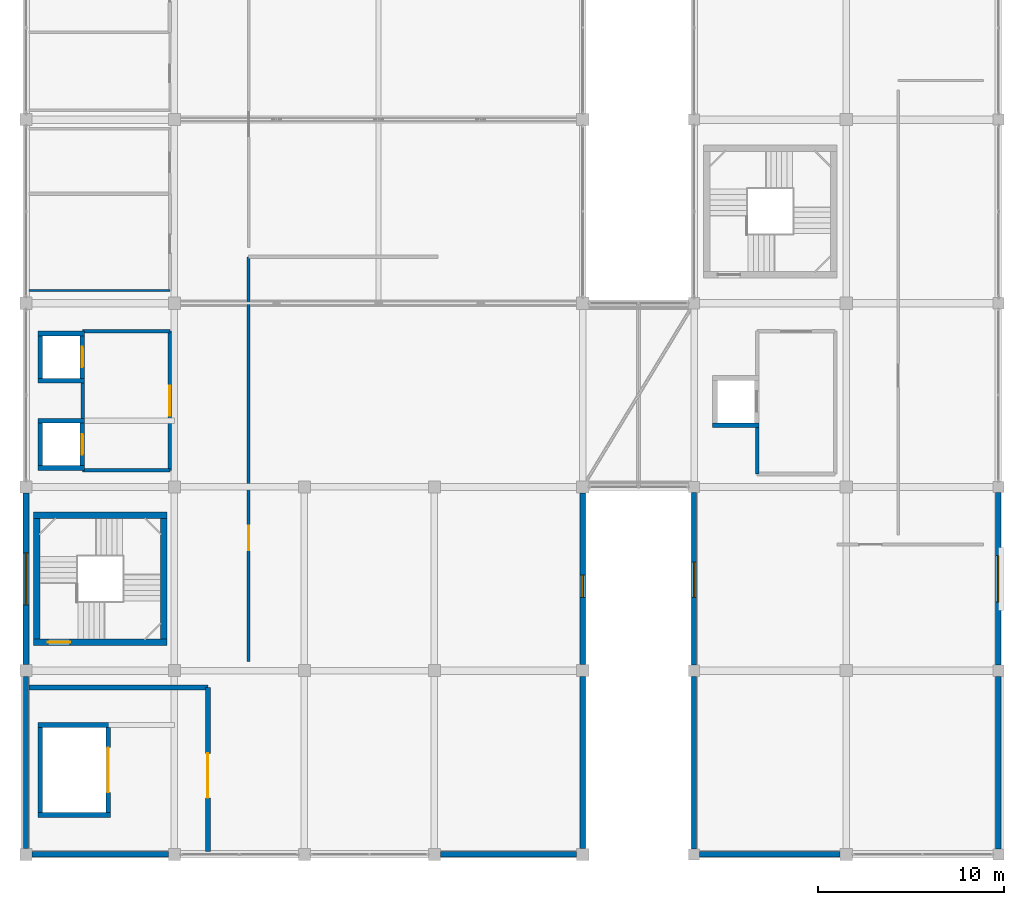
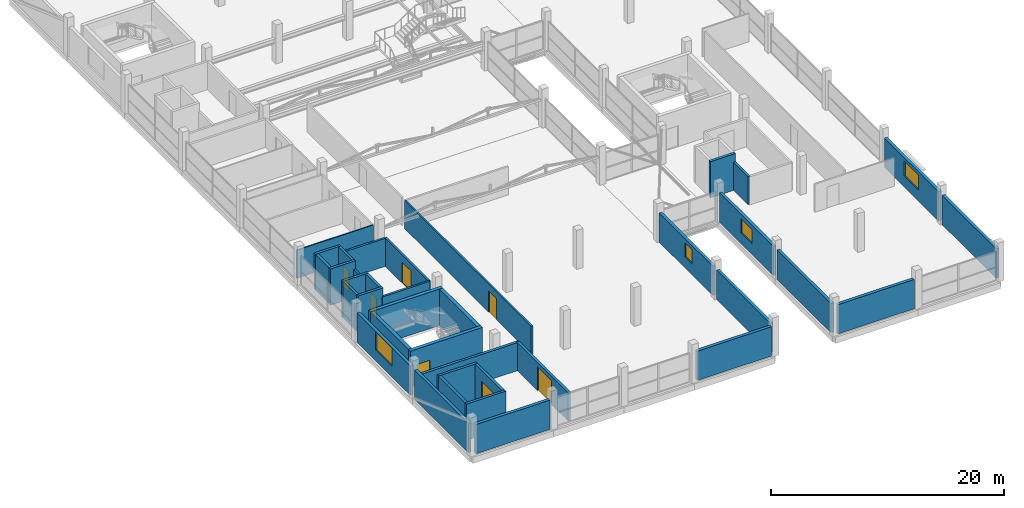
# One storey, part 57 of 70: 37 walls, 7 doors, 4 windows, 11 openings.
"""IFC4 building model written with IfcOpenShell, lengths in metres."""

from ifc_helpers import new_model, si_unit, direction, frame, frame_2d, origin, place, context, subcontext, project, spatial, rectangle, extrude, material, layer, layer_set, type_object, element, fill, save


model = new_model("IFC4")

# Units and contexts
model_context = context("Model", 3, precision=1e-05, world=origin(), true_north=direction((0.0, 1.0)))
body_context = subcontext(model_context, "Body", "Model", "MODEL_VIEW")
ifc_project = project(units=[si_unit("LENGTHUNIT", "METRE"), si_unit("AREAUNIT", "SQUARE_METRE"), si_unit("VOLUMEUNIT", "CUBIC_METRE"), si_unit("PLANEANGLEUNIT", "RADIAN"), si_unit("MASSUNIT", "GRAM", prefix="KILO")], contexts=[model_context])

# Site, building, storey
site_placement = place(None, origin())
site = spatial("IfcSite", under=ifc_project, at=site_placement, CompositionType="ELEMENT")
building_placement = place(site_placement, origin())
building = spatial("IfcBuilding", under=site, at=building_placement, Name="Sillaruma Civic Art Gallery", CompositionType="ELEMENT")
storey_placement = place(building_placement, frame((0.0, 0.0, 66.300048828125)))
storey = spatial("IfcBuildingStorey", under=building, at=storey_placement, Name="L13", CompositionType="ELEMENT", Elevation=66.300048828125)

# Wall, opening, door
ifc_material_1 = material(Name="Concrete H40 (40 MPa)", Category="concrete")
ifc_layer_1 = layer(ifc_material_1, 0.35009765625, Name="Concrete H40 (40 MPa)")
ifc_layer_set_1 = layer_set([ifc_layer_1], Name="Concrete H40 (40 MPa)")
wall_type_1 = type_object("IfcWallType", Name="WAL-CORE-350", PredefinedType="SHEAR", material=ifc_layer_set_1)
wall_1_placement = place(storey_placement, frame((62.409912109375, 31.235107421875, 0.0), z_axis=(0.0, 0.0, 1.0), x_axis=(1.0, 0.0, 0.0)))
wall_1 = element("IfcWall", 1, at=wall_1_placement, inside=storey, type_object=wall_type_1, Name="Stair Core Shear Wall W-CORE-350 (ST-03:L13:S)", PredefinedType="SHEAR", context=body_context, shape_type="SweptSolid", body=[
    extrude(rectangle(XDim=7.18017578125, YDim=0.35009765625, at=frame_2d((3.590087890625, 0.0))), origin(), (0.0, 0.0, 1.0), 3.829833984375),
])
opening_1_placement = place(wall_1_placement, frame((0.77001953125, 0.0, 0.0)))
opening_1 = element("IfcOpeningElement", 2, at=opening_1_placement, cuts=wall_1, Name="Opening D-STAIR", PredefinedType="OPENING", context=body_context, shape_type="SweptSolid", body=[
    extrude(rectangle(XDim=1.199951171875, YDim=2.199951171875, at=frame_2d((0.60009765625, 1.10009765625))), frame((0.0, 0.18505859375, 0.0), z_axis=(0.0, -1.0, 0.0), x_axis=(1.0, 0.0, 0.0)), (0.0, 0.0, 1.0), 0.3701171875),
])
ifc_material_2 = material(Name="Galvanised Steel ASTM A653 Gr.50", Category="steel")
door_type_1 = type_object("IfcDoorType", Name="DOR-STAIR-120", OperationType="NOTDEFINED", PredefinedType="DOOR", material=ifc_material_2)
door_1_placement = place(opening_1_placement, origin())
door_1 = element("IfcDoor", 3, at=door_1_placement, inside=storey, type_object=door_type_1, Name="Protected Stair Fire Door (ST-03:L13)", OperationType="SINGLE_SWING_LEFT", OverallHeight=2.199951171875, OverallWidth=1.199951171875, PredefinedType="DOOR", context=body_context, shape_type="SweptSolid", body=[
    extrude(rectangle(XDim=1.199951171875, YDim=2.199951171875, at=frame_2d((0.60009765625, 1.10009765625))), frame((0.0, 0.02490234375, 0.0), z_axis=(0.0, -1.0, 0.0), x_axis=(1.0, 0.0, 0.0)), (0.0, 0.0, 1.0), 0.050048828125),
])
fill(opening_1, door_1)

# Walls
wall_2_placement = place(storey_placement, frame((62.409912109375, 38.06494140625, 0.0), z_axis=(0.0, 0.0, 1.0), x_axis=(1.0, 0.0, 0.0)))
element("IfcWall", 4, at=wall_2_placement, inside=storey, type_object=wall_type_1, Name="Stair Core Shear Wall W-CORE-350 (ST-03:L13:N)", PredefinedType="SHEAR", context=body_context, shape_type="SweptSolid", body=[
    extrude(rectangle(XDim=7.18017578125, YDim=0.35009765625, at=frame_2d((3.590087890625, 0.0))), origin(), (0.0, 0.0, 1.0), 3.829833984375),
])
for number, where, z_axis, x_axis, name in (
    (5, (62.5849609375, 31.409912109375, 0.0), (0.0, 0.0, 1.0), (0.0, 1.0, 0.0), "Stair Core Shear Wall W-CORE-350 (ST-03:L13:W)"),
    (6, (69.4150390625, 31.409912109375, 0.0), (0.0, 0.0, 1.0), (0.0, 1.0, 0.0), "Stair Core Shear Wall W-CORE-350 (ST-03:L13:E)"),
):
    element("IfcWall", number, at=place(storey_placement, frame(where, z_axis=z_axis, x_axis=x_axis)), inside=storey, type_object=wall_type_1, Name=name, PredefinedType="SHEAR", context=body_context, shape_type="SweptSolid", body=[
        extrude(rectangle(XDim=6.47998046875, YDim=0.35009765625, at=frame_2d((3.239990234375, 0.0))), origin(), (0.0, 0.0, 1.0), 3.829833984375),
    ])
ifc_material_3 = material(Name="Concrete H35 (35 MPa)", Category="concrete")
ifc_layer_2 = layer(ifc_material_3, 0.159912109375, Name="Concrete backup", Category="concrete")
ifc_material_4 = material(Name="Mineral Wool Thermal Insulation", Category="insulation")
ifc_layer_3 = layer(ifc_material_4, 0.090087890625, Name="Thermal insulation", Category="insulation")
ifc_material_5 = material(Name="Anodised Zinc-Aluminium Alloy", Category="aluminium")
ifc_layer_4 = layer(ifc_material_5, 0.030029296875, Name="Rainscreen finish", Category="aluminium")
ifc_layer_set_2 = layer_set([ifc_layer_2, ifc_layer_3, ifc_layer_4], Name="W-EXT-280")
wall_type_2 = type_object("IfcWallType", Name="WAL-EXT-280", PredefinedType="SOLIDWALL", material=ifc_layer_set_2)
wall_3_placement = place(storey_placement, frame((92.0, 20.125, 0.0), z_axis=(0.0, 0.0, 1.0), x_axis=(0.0, 1.0, 0.0)))
element("IfcWall", 7, at=wall_3_placement, inside=storey, type_object=wall_type_2, Name="Exterior Wall W-EXT-280 (EW-L13-WBE-1)", PredefinedType="SOLIDWALL", context=body_context, shape_type="SweptSolid", body=[
    extrude(rectangle(XDim=9.25, YDim=0.280029296875, at=frame_2d((4.625, 0.0))), origin(), (0.0, 0.0, 1.0), 3.079833984375),
])

# Wall, opening, window
wall_4_placement = place(storey_placement, frame((92.0, 30.02490234375, 0.0), z_axis=(0.0, 0.0, 1.0), x_axis=(0.0, 1.0, 0.0)))
wall_4 = element("IfcWall", 8, at=wall_4_placement, inside=storey, type_object=wall_type_2, Name="Exterior Wall W-EXT-280 (EW-L13-WBE-2)", PredefinedType="SOLIDWALL", context=body_context, shape_type="SweptSolid", body=[
    extrude(rectangle(XDim=9.25, YDim=0.280029296875, at=frame_2d((4.625, 0.0))), origin(), (0.0, 0.0, 1.0), 3.079833984375),
])
opening_2_placement = place(wall_4_placement, frame((3.625, 0.0, 1.14990234375)))
opening_2 = element("IfcOpeningElement", 9, at=opening_2_placement, cuts=wall_4, Name="Opening WN-07", PredefinedType="OPENING", context=body_context, shape_type="SweptSolid", body=[
    extrude(rectangle(XDim=1.199951171875, YDim=1.5, at=frame_2d((0.60009765625, 0.75))), frame((0.0, 0.14990234375, 0.0), z_axis=(0.0, -1.0, 0.0), x_axis=(1.0, 0.0, 0.0)), (0.0, 0.0, 1.0), 0.300048828125),
])
ifc_material_6 = material(Name="Thermally Broken Extruded Aluminium 6063-T6", Category="aluminium")
window_type_1 = type_object("IfcWindowType", Name="WIN-W07", PartitioningType="SINGLE_PANEL", PredefinedType="WINDOW", material=ifc_material_6)
window_1_placement = place(opening_2_placement, origin())
window_1 = element("IfcWindow", 10, at=window_1_placement, inside=storey, type_object=window_type_1, Name="Window WN-07 (EW-L13-WBE-2-1)", OverallHeight=1.5, OverallWidth=1.199951171875, PartitioningType="SINGLE_PANEL", PredefinedType="WINDOW", context=body_context, shape_type="SweptSolid", body=[
    extrude(rectangle(XDim=1.199951171875, YDim=1.5, at=frame_2d((0.60009765625, 0.75))), frame((0.0, 0.030029296875, 0.0), z_axis=(0.0, -1.0, 0.0), x_axis=(1.0, 0.0, 0.0)), (0.0, 0.0, 1.0), 0.06005859375),
])
fill(opening_2, window_1)

# Wall
wall_5_placement = place(storey_placement, frame((98.0, 20.10009765625, 0.0), z_axis=(0.0, 0.0, 1.0), x_axis=(0.0, 1.0, 0.0)))
element("IfcWall", 11, at=wall_5_placement, inside=storey, type_object=wall_type_2, Name="Exterior Wall W-EXT-280 (EW-L13-EBW-1)", PredefinedType="SOLIDWALL", context=body_context, shape_type="SweptSolid", body=[
    extrude(rectangle(XDim=9.2998046875, YDim=0.280029296875, at=frame_2d((4.64990234375, 0.0))), origin(), (0.0, 0.0, 1.0), 3.079833984375),
])

# Wall, opening, window
wall_6_placement = place(storey_placement, frame((98.0, 30.0, 0.0), z_axis=(0.0, 0.0, 1.0), x_axis=(0.0, 1.0, 0.0)))
wall_6 = element("IfcWall", 12, at=wall_6_placement, inside=storey, type_object=wall_type_2, Name="Exterior Wall W-EXT-280 (EW-L13-EBW-2)", PredefinedType="SOLIDWALL", context=body_context, shape_type="SweptSolid", body=[
    extrude(rectangle(XDim=9.300048828125, YDim=0.280029296875, at=frame_2d((4.64990234375, 0.0))), origin(), (0.0, 0.0, 1.0), 3.079833984375),
])
opening_3_placement = place(wall_6_placement, frame((3.64990234375, 0.0, 1.14990234375)))
opening_3 = element("IfcOpeningElement", 13, at=opening_3_placement, cuts=wall_6, Name="Opening WN-14", PredefinedType="OPENING", context=body_context, shape_type="SweptSolid", body=[
    extrude(rectangle(XDim=1.89990234375, YDim=1.449951171875, at=frame_2d((0.949951171875, 0.72509765625))), frame((0.0, 0.14990234375, 0.0), z_axis=(0.0, -1.0, 0.0), x_axis=(1.0, 0.0, 0.0)), (0.0, 0.0, 1.0), 0.300048828125),
])
window_type_2 = type_object("IfcWindowType", Name="WIN-W14", PartitioningType="SINGLE_PANEL", PredefinedType="WINDOW", material=ifc_material_6)
window_2_placement = place(opening_3_placement, origin())
window_2 = element("IfcWindow", 14, at=window_2_placement, inside=storey, type_object=window_type_2, Name="Window WN-14 (EW-L13-EBW-2-1)", OverallHeight=1.449951171875, OverallWidth=1.89990234375, PartitioningType="SINGLE_PANEL", PredefinedType="WINDOW", context=body_context, shape_type="SweptSolid", body=[
    extrude(rectangle(XDim=1.89990234375, YDim=1.449951171875, at=frame_2d((0.949951171875, 0.72509765625))), frame((0.0, 0.030029296875, 0.0), z_axis=(0.0, -1.0, 0.0), x_axis=(1.0, 0.0, 0.0)), (0.0, 0.0, 1.0), 0.06005859375),
])
fill(opening_3, window_2)

# Walls
ifc_layer_5 = layer(ifc_material_3, 0.169921875, Name="Concrete backup", Category="concrete")
ifc_layer_6 = layer(ifc_material_4, 0.090087890625, Name="Thermal insulation", Category="insulation")
ifc_layer_7 = layer(ifc_material_5, 0.030029296875, Name="Rainscreen finish", Category="aluminium")
ifc_layer_set_3 = layer_set([ifc_layer_5, ifc_layer_6, ifc_layer_7], Name="W-EXT-290")
wall_type_3 = type_object("IfcWallType", Name="WAL-EXT-290", PredefinedType="SOLIDWALL", material=ifc_layer_set_3)
wall_7_placement = place(storey_placement, frame((62.0, 20.125, 0.0), z_axis=(0.0, 0.0, 1.0), x_axis=(0.0, 1.0, 0.0)))
element("IfcWall", 15, at=wall_7_placement, inside=storey, type_object=wall_type_3, Name="Exterior Wall W-EXT-290 (EW-L13-WBW-1)", PredefinedType="SOLIDWALL", context=body_context, shape_type="SweptSolid", body=[
    extrude(rectangle(XDim=9.25, YDim=0.2900390625, at=frame_2d((4.625, 0.0))), origin(), (0.0, 0.0, 1.0), 3.079833984375),
])
wall_8_placement = place(storey_placement, frame((114.39990234375, 20.10009765625, 0.0), z_axis=(0.0, 0.0, 1.0), x_axis=(0.0, 1.0, 0.0)))
element("IfcWall", 16, at=wall_8_placement, inside=storey, type_object=wall_type_3, Name="Exterior Wall W-EXT-290 (EW-L13-EBE-1)", PredefinedType="SOLIDWALL", context=body_context, shape_type="SweptSolid", body=[
    extrude(rectangle(XDim=9.2998046875, YDim=0.2900390625, at=frame_2d((4.64990234375, 0.0))), origin(), (0.0, 0.0, 1.0), 3.079833984375),
])

# Wall, opening, window
ifc_material_7 = material(Name="Precast Concrete H35 (35 MPa)", Category="concrete")
ifc_layer_8 = layer(ifc_material_7, 0.179931640625, Name="Precast backup", Category="concrete")
ifc_layer_9 = layer(ifc_material_4, 0.090087890625, Name="Thermal insulation", Category="insulation")
ifc_material_8 = material(Name="Comanche Granitic Ashlar Stone", Category="masonry")
ifc_layer_10 = layer(ifc_material_8, 0.030029296875, Name="Rainscreen cladding", Category="masonry")
ifc_layer_set_4 = layer_set([ifc_layer_8, ifc_layer_9, ifc_layer_10], Name="W-EXT-300")
wall_type_4 = type_object("IfcWallType", Name="WAL-EXT-300", PredefinedType="SOLIDWALL", material=ifc_layer_set_4)
wall_9_placement = place(storey_placement, frame((62.0, 30.02490234375, 0.0), z_axis=(0.0, 0.0, 1.0), x_axis=(0.0, 1.0, 0.0)))
wall_9 = element("IfcWall", 17, at=wall_9_placement, inside=storey, type_object=wall_type_4, Name="Exterior Wall W-EXT-300 (EW-L13-WBW-2)", PredefinedType="SOLIDWALL", context=body_context, shape_type="SweptSolid", body=[
    extrude(rectangle(XDim=9.25, YDim=0.300048828125, at=frame_2d((4.625, 0.0))), origin(), (0.0, 0.0, 1.0), 3.079833984375),
])
opening_4_placement = place(wall_9_placement, frame((3.22509765625, 0.0, 1.14990234375)))
opening_4 = element("IfcOpeningElement", 18, at=opening_4_placement, cuts=wall_9, Name="Opening WN-09", PredefinedType="OPENING", context=body_context, shape_type="SweptSolid", body=[
    extrude(rectangle(XDim=2.800048828125, YDim=1.89990234375, at=frame_2d((1.39990234375, 0.949951171875))), frame((0.0, 0.159912109375, 0.0), z_axis=(0.0, -1.0, 0.0), x_axis=(1.0, 0.0, 0.0)), (0.0, 0.0, 1.0), 0.320068359375),
])
window_type_3 = type_object("IfcWindowType", Name="WIN-W09", PartitioningType="SINGLE_PANEL", PredefinedType="WINDOW", material=ifc_material_6)
window_3_placement = place(opening_4_placement, origin())
window_3 = element("IfcWindow", 19, at=window_3_placement, inside=storey, type_object=window_type_3, Name="Window WN-09 (EW-L13-WBW-2-1)", OverallHeight=1.89990234375, OverallWidth=2.800048828125, PartitioningType="SINGLE_PANEL", PredefinedType="WINDOW", context=body_context, shape_type="SweptSolid", body=[
    extrude(rectangle(XDim=2.800048828125, YDim=1.89990234375, at=frame_2d((1.39990234375, 0.949951171875))), frame((0.0, 0.030029296875, 0.0), z_axis=(0.0, -1.0, 0.0), x_axis=(1.0, 0.0, 0.0)), (0.0, 0.0, 1.0), 0.06005859375),
])
fill(opening_4, window_3)

# Walls
for number, where, z_axis, x_axis, name in (
    (20, (62.324951171875, 19.800048828125, 0.0), (0.0, 0.0, 1.0), (1.0, 0.0, 0.0), "Exterior Wall W-EXT-300 (EW-L13-WBS-1)"),
    (21, (84.324951171875, 19.800048828125, 0.0), (0.0, 0.0, 1.0), (1.0, 0.0, 0.0), "Exterior Wall W-EXT-300 (EW-L13-WBS-4)"),
):
    element("IfcWall", number, at=place(storey_placement, frame(where, z_axis=z_axis, x_axis=x_axis)), inside=storey, type_object=wall_type_4, Name=name, PredefinedType="SOLIDWALL", context=body_context, shape_type="SweptSolid", body=[
        extrude(rectangle(XDim=7.35009765625, YDim=0.300048828125, at=frame_2d((3.675048828125, 0.0))), origin(), (0.0, 0.0, 1.0), 3.079833984375),
    ])

# Wall, opening, window
wall_10_placement = place(storey_placement, frame((114.39990234375, 30.0, 0.0), z_axis=(0.0, 0.0, 1.0), x_axis=(0.0, 1.0, 0.0)))
wall_10 = element("IfcWall", 22, at=wall_10_placement, inside=storey, type_object=wall_type_4, Name="Exterior Wall W-EXT-300 (EW-L13-EBE-2)", PredefinedType="SOLIDWALL", context=body_context, shape_type="SweptSolid", body=[
    extrude(rectangle(XDim=9.300048828125, YDim=0.300048828125, at=frame_2d((4.64990234375, 0.0))), origin(), (0.0, 0.0, 1.0), 3.079833984375),
])
opening_5_placement = place(wall_10_placement, frame((3.39990234375, 0.0, 1.14990234375)))
opening_5 = element("IfcOpeningElement", 23, at=opening_5_placement, cuts=wall_10, Name="Opening WN-11", PredefinedType="OPENING", context=body_context, shape_type="SweptSolid", body=[
    extrude(rectangle(XDim=2.5, YDim=1.60009765625, at=frame_2d((1.25, 0.800048828125))), frame((0.0, 0.159912109375, 0.0), z_axis=(0.0, -1.0, 0.0), x_axis=(1.0, 0.0, 0.0)), (0.0, 0.0, 1.0), 0.320068359375),
])
window_type_4 = type_object("IfcWindowType", Name="WIN-W11", PartitioningType="SINGLE_PANEL", PredefinedType="WINDOW", material=ifc_material_6)
window_4_placement = place(opening_5_placement, origin())
window_4 = element("IfcWindow", 24, at=window_4_placement, inside=storey, type_object=window_type_4, Name="Window WN-11 (EW-L13-EBE-2-1)", OverallHeight=1.60009765625, OverallWidth=2.5, PartitioningType="SINGLE_PANEL", PredefinedType="WINDOW", context=body_context, shape_type="SweptSolid", body=[
    extrude(rectangle(XDim=2.5, YDim=1.60009765625, at=frame_2d((1.25, 0.800048828125))), frame((0.0, 0.030029296875, 0.0), z_axis=(0.0, -1.0, 0.0), x_axis=(1.0, 0.0, 0.0)), (0.0, 0.0, 1.0), 0.06005859375),
])
fill(opening_5, window_4)

# Walls
wall_11_placement = place(storey_placement, frame((98.300048828125, 19.800048828125, 0.0), z_axis=(0.0, 0.0, 1.0), x_axis=(1.0, 0.0, 0.0)))
element("IfcWall", 25, at=wall_11_placement, inside=storey, type_object=wall_type_4, Name="Exterior Wall W-EXT-300 (EW-L13-EBS-1)", PredefinedType="SOLIDWALL", context=body_context, shape_type="SweptSolid", body=[
    extrude(rectangle(XDim=7.574951171875, YDim=0.300048828125, at=frame_2d((3.78759765625, 0.0))), origin(), (0.0, 0.0, 1.0), 3.079833984375),
])
ifc_material_9 = material(Name="Concrete Masonry Unit Grade M15", Category="masonry")
ifc_layer_11 = layer(ifc_material_9, 0.199951171875, Name="Concrete Masonry Unit Grade M15")
ifc_layer_set_5 = layer_set([ifc_layer_11], Name="Concrete Masonry Unit Grade M15")
wall_type_5 = type_object("IfcWallType", Name="WAL-LOBBY-200", PredefinedType="SOLIDWALL", material=ifc_layer_set_5)
for number, where, z_axis, x_axis, name in (
    (26, (65.050048828125, 40.5, 0.0), (0.0, 0.0, 1.0), (1.0, 0.0, 0.0), "Interior Wall W-LOBBY-200 (L13-LLW)"),
    (27, (65.050048828125, 48.0, 0.0), (0.0, 0.0, 1.0), (1.0, 0.0, 0.0), "Interior Wall W-LOBBY-200 (L13-LLW)"),
):
    element("IfcWall", number, at=place(storey_placement, frame(where, z_axis=z_axis, x_axis=x_axis)), inside=storey, type_object=wall_type_5, Name=name, PredefinedType="SOLIDWALL", context=body_context, shape_type="SweptSolid", body=[
        extrude(rectangle(XDim=4.699951171875, YDim=0.199951171875, at=frame_2d((2.35009765625, 0.0))), origin(), (0.0, 0.0, 1.0), 2.949951171875),
    ])
wall_12_placement = place(storey_placement, frame((65.050048828125, 43.300048828125, 0.0), z_axis=(0.0, 0.0, 1.0), x_axis=(0.0, 1.0, 0.0)))
element("IfcWall", 28, at=wall_12_placement, inside=storey, type_object=wall_type_5, Name="Interior Wall W-LOBBY-200 (L13-LLW)", PredefinedType="SOLIDWALL", context=body_context, shape_type="SweptSolid", body=[
    extrude(rectangle(XDim=1.89990234375, YDim=0.199951171875, at=frame_2d((0.949951171875, 0.0))), origin(), (0.0, 0.0, 1.0), 2.949951171875),
])

# Wall, opening, door
wall_13_placement = place(storey_placement, frame((69.75, 40.5, 0.0), z_axis=(0.0, 0.0, 1.0), x_axis=(0.0, 1.0, 0.0)))
wall_13 = element("IfcWall", 29, at=wall_13_placement, inside=storey, type_object=wall_type_5, Name="Interior Wall W-LOBBY-200 (L13-LLW)", PredefinedType="SOLIDWALL", context=body_context, shape_type="SweptSolid", body=[
    extrude(rectangle(XDim=7.5, YDim=0.199951171875, at=frame_2d((3.75, 0.0))), origin(), (0.0, 0.0, 1.0), 2.949951171875),
])
opening_6_placement = place(wall_13_placement, frame((2.949951171875, 0.0, 0.0)))
opening_6 = element("IfcOpeningElement", 30, at=opening_6_placement, cuts=wall_13, Name="Opening D-LOBBY", PredefinedType="OPENING", context=body_context, shape_type="SweptSolid", body=[
    extrude(rectangle(XDim=1.60009765625, YDim=2.199951171875, at=frame_2d((0.800048828125, 1.10009765625))), frame((0.0, 0.10986328125, 0.0), z_axis=(0.0, -1.0, 0.0), x_axis=(1.0, 0.0, 0.0)), (0.0, 0.0, 1.0), 0.219970703125),
])
door_type_2 = type_object("IfcDoorType", Name="DOR-LOBBY-160", OperationType="NOTDEFINED", PredefinedType="DOOR", material=ifc_material_6)
door_2_placement = place(opening_6_placement, origin())
door_2 = element("IfcDoor", 31, at=door_2_placement, inside=storey, type_object=door_type_2, Name="West Lift Lobby Door (D-LOBBY)", OperationType="DOUBLE_DOOR_SINGLE_SWING", OverallHeight=2.199951171875, OverallWidth=1.60009765625, PredefinedType="DOOR", context=body_context, shape_type="SweptSolid", body=[
    extrude(rectangle(XDim=1.60009765625, YDim=2.199951171875, at=frame_2d((0.800048828125, 1.10009765625))), frame((0.0, 0.02490234375, 0.0), z_axis=(0.0, -1.0, 0.0), x_axis=(1.0, 0.0, 0.0)), (0.0, 0.0, 1.0), 0.050048828125),
])
fill(opening_6, door_2)

# Walls
wall_14_placement = place(storey_placement, frame((101.39990234375, 40.300048828125, 0.0), z_axis=(0.0, 0.0, 1.0), x_axis=(0.0, 1.0, 0.0)))
element("IfcWall", 32, at=wall_14_placement, inside=storey, type_object=wall_type_5, Name="Interior Wall W-LOBBY-200 (L13-LLE)", PredefinedType="SOLIDWALL", context=body_context, shape_type="SweptSolid", body=[
    extrude(rectangle(XDim=2.5, YDim=0.199951171875, at=frame_2d((1.25, 0.0))), origin(), (0.0, 0.0, 1.0), 2.949951171875),
])
ifc_material_10 = material(Name="Gypsum Acoustic Board", Category="gypsum")
ifc_layer_12 = layer(ifc_material_10, 0.02490234375, Name="Finish board", Category="gypsum")
ifc_layer_13 = layer(ifc_material_4, 0.06005859375, Name="Acoustic core", Category="insulation")
ifc_material_11 = material(Name="Andean Oak Timber", Category="wood")
ifc_layer_14 = layer(ifc_material_11, 0.02490234375, Name="Gallery lining", Category="wood")
ifc_layer_set_6 = layer_set([ifc_layer_12, ifc_layer_13, ifc_layer_14], Name="W-PT-110")
wall_type_6 = type_object("IfcWallType", Name="WAL-PART-110", PredefinedType="PARTITIONING", material=ifc_layer_set_6)
wall_15_placement = place(storey_placement, frame((62.14990234375, 50.199951171875, 0.0), z_axis=(0.0, 0.0, 1.0), x_axis=(1.0, 0.0, 0.0)))
element("IfcWall", 33, at=wall_15_placement, inside=storey, type_object=wall_type_6, Name="Interior Wall W-PT-110 (L13-WC1)", PredefinedType="PARTITIONING", context=body_context, shape_type="SweptSolid", body=[
    extrude(rectangle(XDim=7.60009765625, YDim=0.110107421875, at=frame_2d((3.800048828125, 0.0))), origin(), (0.0, 0.0, 1.0), 2.949951171875),
])

# Wall, opening, door
ifc_layer_15 = layer(ifc_material_10, 0.02490234375, Name="Finish board", Category="gypsum")
ifc_layer_16 = layer(ifc_material_4, 0.114990234375, Name="Acoustic core", Category="insulation")
ifc_layer_17 = layer(ifc_material_11, 0.02490234375, Name="Gallery lining", Category="wood")
ifc_layer_set_7 = layer_set([ifc_layer_15, ifc_layer_16, ifc_layer_17], Name="W-PT-165")
wall_type_7 = type_object("IfcWallType", Name="WAL-PART-165", PredefinedType="PARTITIONING", material=ifc_layer_set_7)
wall_16_placement = place(storey_placement, frame((74.0, 30.199951171875, 0.0), z_axis=(0.0, 0.0, 1.0), x_axis=(0.0, 1.0, 0.0)))
wall_16 = element("IfcWall", 34, at=wall_16_placement, inside=storey, type_object=wall_type_7, Name="Interior Wall W-PT-165 (L13-STD13A)", PredefinedType="PARTITIONING", context=body_context, shape_type="SweptSolid", body=[
    extrude(rectangle(XDim=21.800048828125, YDim=0.1650390625, at=frame_2d((10.89990234375, 0.0))), origin(), (0.0, 0.0, 1.0), 2.949951171875),
])
opening_7_placement = place(wall_16_placement, frame((6.0, 0.0, 0.0)))
opening_7 = element("IfcOpeningElement", 35, at=opening_7_placement, cuts=wall_16, Name="Opening D-STD13", PredefinedType="OPENING", context=body_context, shape_type="SweptSolid", body=[
    extrude(rectangle(XDim=1.300048828125, YDim=2.25, at=frame_2d((0.64990234375, 1.125))), frame((0.0, 0.092529296875, 0.0), z_axis=(0.0, -1.0, 0.0), x_axis=(1.0, 0.0, 0.0)), (0.0, 0.0, 1.0), 0.18505859375),
])
door_type_3 = type_object("IfcDoorType", Name="DOR-STD-130", OperationType="NOTDEFINED", PredefinedType="DOOR", material=ifc_material_11)
door_3_placement = place(opening_7_placement, origin())
door_3 = element("IfcDoor", 36, at=door_3_placement, inside=storey, type_object=door_type_3, Name="West Residency Artist Studio South Door (D-STD13)", OperationType="SINGLE_SWING_LEFT", OverallHeight=2.25, OverallWidth=1.300048828125, PredefinedType="DOOR", context=body_context, shape_type="SweptSolid", body=[
    extrude(rectangle(XDim=1.300048828125, YDim=2.25, at=frame_2d((0.64990234375, 1.125))), frame((0.0, 0.02490234375, 0.0), z_axis=(0.0, -1.0, 0.0), x_axis=(1.0, 0.0, 0.0)), (0.0, 0.0, 1.0), 0.050048828125),
])
fill(opening_7, door_3)

# Walls
ifc_layer_18 = layer(ifc_material_1, 0.25, Name="Concrete H40 (40 MPa)")
ifc_layer_set_8 = layer_set([ifc_layer_18], Name="Concrete H40 (40 MPa)")
wall_type_8 = type_object("IfcWallType", Name="WAL-SHAFT-250", PredefinedType="SOLIDWALL", material=ifc_layer_set_8)
for number, where, z_axis, x_axis, name in (
    (37, (62.64990234375, 40.625, 0.0), (0.0, 0.0, 1.0), (1.0, 0.0, 0.0), "Lift Shaft Wall W-SHAFT-250 (PL-01:L13:S)"),
    (38, (62.64990234375, 43.175048828125, 0.0), (0.0, 0.0, 1.0), (1.0, 0.0, 0.0), "Lift Shaft Wall W-SHAFT-250 (PL-01:L13:N)"),
):
    element("IfcWall", number, at=place(storey_placement, frame(where, z_axis=z_axis, x_axis=x_axis)), inside=storey, type_object=wall_type_8, Name=name, PredefinedType="SOLIDWALL", context=body_context, shape_type="SweptSolid", body=[
        extrude(rectangle(XDim=2.5, YDim=0.25, at=frame_2d((1.25, 0.0))), origin(), (0.0, 0.0, 1.0), 3.81005859375),
    ])
wall_17_placement = place(storey_placement, frame((62.77490234375, 40.75, 0.0), z_axis=(0.0, 0.0, 1.0), x_axis=(0.0, 1.0, 0.0)))
element("IfcWall", 39, at=wall_17_placement, inside=storey, type_object=wall_type_8, Name="Lift Shaft Wall W-SHAFT-250 (PL-01:L13:W)", PredefinedType="SOLIDWALL", context=body_context, shape_type="SweptSolid", body=[
    extrude(rectangle(XDim=2.300048828125, YDim=0.25, at=frame_2d((1.14990234375, 0.0))), origin(), (0.0, 0.0, 1.0), 3.81005859375),
])

# Wall, opening, door
wall_18_placement = place(storey_placement, frame((65.02490234375, 40.75, 0.0), z_axis=(0.0, 0.0, 1.0), x_axis=(0.0, 1.0, 0.0)))
wall_18 = element("IfcWall", 40, at=wall_18_placement, inside=storey, type_object=wall_type_8, Name="Lift Shaft Wall W-SHAFT-250 (PL-01:L13:E)", PredefinedType="SOLIDWALL", context=body_context, shape_type="SweptSolid", body=[
    extrude(rectangle(XDim=2.300048828125, YDim=0.25, at=frame_2d((1.14990234375, 0.0))), origin(), (0.0, 0.0, 1.0), 3.81005859375),
])
opening_8_placement = place(wall_18_placement, frame((0.60009765625, 0.0, 0.0)))
opening_8 = element("IfcOpeningElement", 41, at=opening_8_placement, cuts=wall_18, Name="Opening LD-01", PredefinedType="OPENING", context=body_context, shape_type="SweptSolid", body=[
    extrude(rectangle(XDim=1.10009765625, YDim=2.199951171875, at=frame_2d((0.550048828125, 1.10009765625))), frame((0.0, 0.135009765625, 0.0), z_axis=(0.0, -1.0, 0.0), x_axis=(1.0, 0.0, 0.0)), (0.0, 0.0, 1.0), 0.27001953125),
])
door_type_4 = type_object("IfcDoorType", Name="DOR-LD-01", OperationType="NOTDEFINED", PredefinedType="DOOR", material=ifc_material_2)
door_4_placement = place(opening_8_placement, origin())
door_4 = element("IfcDoor", 42, at=door_4_placement, inside=storey, type_object=door_type_4, Name="Lift Sliding Landing Door LD-01 (PL-01:L13)", OperationType="DOUBLE_DOOR_SLIDING", OverallHeight=2.199951171875, OverallWidth=1.10009765625, PredefinedType="DOOR", context=body_context, shape_type="SweptSolid", body=[
    extrude(rectangle(XDim=1.10009765625, YDim=2.199951171875, at=frame_2d((0.550048828125, 1.10009765625))), frame((0.0, 0.02490234375, 0.0), z_axis=(0.0, -1.0, 0.0), x_axis=(1.0, 0.0, 0.0)), (0.0, 0.0, 1.0), 0.050048828125),
])
fill(opening_8, door_4)

# Walls
for number, where, z_axis, x_axis, name in (
    (43, (62.64990234375, 45.324951171875, 0.0), (0.0, 0.0, 1.0), (1.0, 0.0, 0.0), "Lift Shaft Wall W-SHAFT-250 (PL-02:L13:S)"),
    (44, (62.64990234375, 47.875, 0.0), (0.0, 0.0, 1.0), (1.0, 0.0, 0.0), "Lift Shaft Wall W-SHAFT-250 (PL-02:L13:N)"),
):
    element("IfcWall", number, at=place(storey_placement, frame(where, z_axis=z_axis, x_axis=x_axis)), inside=storey, type_object=wall_type_8, Name=name, PredefinedType="SOLIDWALL", context=body_context, shape_type="SweptSolid", body=[
        extrude(rectangle(XDim=2.5, YDim=0.25, at=frame_2d((1.25, 0.0))), origin(), (0.0, 0.0, 1.0), 3.81005859375),
    ])
wall_19_placement = place(storey_placement, frame((62.77490234375, 45.449951171875, 0.0), z_axis=(0.0, 0.0, 1.0), x_axis=(0.0, 1.0, 0.0)))
element("IfcWall", 45, at=wall_19_placement, inside=storey, type_object=wall_type_8, Name="Lift Shaft Wall W-SHAFT-250 (PL-02:L13:W)", PredefinedType="SOLIDWALL", context=body_context, shape_type="SweptSolid", body=[
    extrude(rectangle(XDim=2.300048828125, YDim=0.25, at=frame_2d((1.14990234375, 0.0))), origin(), (0.0, 0.0, 1.0), 3.81005859375),
])

# Wall, opening, door
wall_20_placement = place(storey_placement, frame((65.02490234375, 45.449951171875, 0.0), z_axis=(0.0, 0.0, 1.0), x_axis=(0.0, 1.0, 0.0)))
wall_20 = element("IfcWall", 46, at=wall_20_placement, inside=storey, type_object=wall_type_8, Name="Lift Shaft Wall W-SHAFT-250 (PL-02:L13:E)", PredefinedType="SOLIDWALL", context=body_context, shape_type="SweptSolid", body=[
    extrude(rectangle(XDim=2.300048828125, YDim=0.25, at=frame_2d((1.14990234375, 0.0))), origin(), (0.0, 0.0, 1.0), 3.81005859375),
])
opening_9_placement = place(wall_20_placement, frame((0.60009765625, 0.0, 0.0)))
opening_9 = element("IfcOpeningElement", 47, at=opening_9_placement, cuts=wall_20, Name="Opening LD-01", PredefinedType="OPENING", context=body_context, shape_type="SweptSolid", body=[
    extrude(rectangle(XDim=1.10009765625, YDim=2.199951171875, at=frame_2d((0.550048828125, 1.10009765625))), frame((0.0, 0.135009765625, 0.0), z_axis=(0.0, -1.0, 0.0), x_axis=(1.0, 0.0, 0.0)), (0.0, 0.0, 1.0), 0.27001953125),
])
door_5_placement = place(opening_9_placement, origin())
door_5 = element("IfcDoor", 48, at=door_5_placement, inside=storey, type_object=door_type_4, Name="Lift Sliding Landing Door LD-01 (PL-02:L13)", OperationType="DOUBLE_DOOR_SLIDING", OverallHeight=2.199951171875, OverallWidth=1.10009765625, PredefinedType="DOOR", context=body_context, shape_type="SweptSolid", body=[
    extrude(rectangle(XDim=1.10009765625, YDim=2.199951171875, at=frame_2d((0.550048828125, 1.10009765625))), frame((0.0, 0.02490234375, 0.0), z_axis=(0.0, -1.0, 0.0), x_axis=(1.0, 0.0, 0.0)), (0.0, 0.0, 1.0), 0.050048828125),
])
fill(opening_9, door_5)

# Walls
wall_21_placement = place(storey_placement, frame((99.0, 42.925048828125, 0.0), z_axis=(0.0, 0.0, 1.0), x_axis=(1.0, 0.0, 0.0)))
element("IfcWall", 49, at=wall_21_placement, inside=storey, type_object=wall_type_8, Name="Lift Shaft Wall W-SHAFT-250 (PL-03:L13:S)", PredefinedType="SOLIDWALL", context=body_context, shape_type="SweptSolid", body=[
    extrude(rectangle(XDim=2.5, YDim=0.25, at=frame_2d((1.25, 0.0))), origin(), (0.0, 0.0, 1.0), 3.81005859375),
])
for number, where, z_axis, x_axis, name in (
    (50, (62.64990234375, 21.925048828125, 0.0), (0.0, 0.0, 1.0), (1.0, 0.0, 0.0), "Lift Shaft Wall W-SHAFT-250 (GL-01:L13:S)"),
    (51, (62.64990234375, 26.77490234375, 0.0), (0.0, 0.0, 1.0), (1.0, 0.0, 0.0), "Lift Shaft Wall W-SHAFT-250 (GL-01:L13:N)"),
):
    element("IfcWall", number, at=place(storey_placement, frame(where, z_axis=z_axis, x_axis=x_axis)), inside=storey, type_object=wall_type_8, Name=name, PredefinedType="SOLIDWALL", context=body_context, shape_type="SweptSolid", body=[
        extrude(rectangle(XDim=3.900146484375, YDim=0.25, at=frame_2d((1.9501953125, 0.0))), origin(), (0.0, 0.0, 1.0), 3.81005859375),
    ])
wall_22_placement = place(storey_placement, frame((62.77490234375, 22.050048828125, 0.0), z_axis=(0.0, 0.0, 1.0), x_axis=(0.0, 1.0, 0.0)))
element("IfcWall", 52, at=wall_22_placement, inside=storey, type_object=wall_type_8, Name="Lift Shaft Wall W-SHAFT-250 (GL-01:L13:W)", PredefinedType="SOLIDWALL", context=body_context, shape_type="SweptSolid", body=[
    extrude(rectangle(XDim=4.599853515625, YDim=0.25, at=frame_2d((2.2998046875, 0.0))), origin(), (0.0, 0.0, 1.0), 3.81005859375),
])

# Wall, opening, door
wall_23_placement = place(storey_placement, frame((66.425048828125, 22.050048828125, 0.0), z_axis=(0.0, 0.0, 1.0), x_axis=(0.0, 1.0, 0.0)))
wall_23 = element("IfcWall", 53, at=wall_23_placement, inside=storey, type_object=wall_type_8, Name="Lift Shaft Wall W-SHAFT-250 (GL-01:L13:E)", PredefinedType="SOLIDWALL", context=body_context, shape_type="SweptSolid", body=[
    extrude(rectangle(XDim=4.599853515625, YDim=0.25, at=frame_2d((2.2998046875, 0.0))), origin(), (0.0, 0.0, 1.0), 3.81005859375),
])
opening_10_placement = place(wall_23_placement, frame((1.10009765625, 0.0, 0.0)))
opening_10 = element("IfcOpeningElement", 54, at=opening_10_placement, cuts=wall_23, Name="Opening LD-03", PredefinedType="OPENING", context=body_context, shape_type="SweptSolid", body=[
    extrude(rectangle(XDim=2.39990234375, YDim=2.64990234375, at=frame_2d((1.199951171875, 1.324951171875))), frame((0.0, 0.135009765625, 0.0), z_axis=(0.0, -1.0, 0.0), x_axis=(1.0, 0.0, 0.0)), (0.0, 0.0, 1.0), 0.27001953125),
])
door_type_5 = type_object("IfcDoorType", Name="DOR-LD-03", OperationType="NOTDEFINED", PredefinedType="DOOR", material=ifc_material_2)
door_6_placement = place(opening_10_placement, origin())
door_6 = element("IfcDoor", 55, at=door_6_placement, inside=storey, type_object=door_type_5, Name="Lift Sliding Landing Door LD-03 (GL-01:L13)", OperationType="DOUBLE_DOOR_SLIDING", OverallHeight=2.64990234375, OverallWidth=2.39990234375, PredefinedType="DOOR", context=body_context, shape_type="SweptSolid", body=[
    extrude(rectangle(XDim=2.39990234375, YDim=2.64990234375, at=frame_2d((1.199951171875, 1.324951171875))), frame((0.0, 0.02490234375, 0.0), z_axis=(0.0, -1.0, 0.0), x_axis=(1.0, 0.0, 0.0)), (0.0, 0.0, 1.0), 0.050048828125),
])
fill(opening_10, door_6)

# Wall
ifc_layer_19 = layer(ifc_material_9, 0.2548828125, Name="Concrete Masonry Unit Grade M15")
ifc_layer_set_9 = layer_set([ifc_layer_19], Name="Concrete Masonry Unit Grade M15")
wall_type_9 = type_object("IfcWallType", Name="WAL-STORE-250", PredefinedType="SOLIDWALL", material=ifc_layer_set_9)
wall_24_placement = place(storey_placement, frame((62.14990234375, 28.800048828125, 0.0), z_axis=(0.0, 0.0, 1.0), x_axis=(1.0, 0.0, 0.0)))
element("IfcWall", 56, at=wall_24_placement, inside=storey, type_object=wall_type_9, Name="Interior Wall W-STORE-250 (L13-AIR)", PredefinedType="SOLIDWALL", context=body_context, shape_type="SweptSolid", body=[
    extrude(rectangle(XDim=9.650146484375, YDim=0.2548828125, at=frame_2d((4.8251953125, 0.0))), origin(), (0.0, 0.0, 1.0), 2.949951171875),
])

# Wall, opening, door
wall_25_placement = place(storey_placement, frame((71.800048828125, 19.949951171875, 0.0), z_axis=(0.0, 0.0, 1.0), x_axis=(0.0, 1.0, 0.0)))
wall_25 = element("IfcWall", 57, at=wall_25_placement, inside=storey, type_object=wall_type_9, Name="Interior Wall W-STORE-250 (L13-AIR)", PredefinedType="SOLIDWALL", context=body_context, shape_type="SweptSolid", body=[
    extrude(rectangle(XDim=8.85009765625, YDim=0.2548828125, at=frame_2d((4.425048828125, 0.0))), origin(), (0.0, 0.0, 1.0), 2.949951171875),
])
opening_11_placement = place(wall_25_placement, frame((2.89990234375, 0.0, 0.0)))
opening_11 = element("IfcOpeningElement", 58, at=opening_11_placement, cuts=wall_25, Name="Opening D-STR24", PredefinedType="OPENING", context=body_context, shape_type="SweptSolid", body=[
    extrude(rectangle(XDim=2.39990234375, YDim=2.5, at=frame_2d((1.199951171875, 1.25))), frame((0.0, 0.137451171875, 0.0), z_axis=(0.0, -1.0, 0.0), x_axis=(1.0, 0.0, 0.0)), (0.0, 0.0, 1.0), 0.27490234375),
])
door_type_6 = type_object("IfcDoorType", Name="DOR-STORE-240", OperationType="NOTDEFINED", PredefinedType="DOOR", material=ifc_material_2)
door_7_placement = place(opening_11_placement, origin())
door_7 = element("IfcDoor", 59, at=door_7_placement, inside=storey, type_object=door_type_6, Name="Crate Airlock Door (D-STR24)", OperationType="DOUBLE_DOOR_SINGLE_SWING", OverallHeight=2.5, OverallWidth=2.39990234375, PredefinedType="DOOR", context=body_context, shape_type="SweptSolid", body=[
    extrude(rectangle(XDim=2.39990234375, YDim=2.5, at=frame_2d((1.199951171875, 1.25))), frame((0.0, 0.02490234375, 0.0), z_axis=(0.0, -1.0, 0.0), x_axis=(1.0, 0.0, 0.0)), (0.0, 0.0, 1.0), 0.050048828125),
])
fill(opening_11, door_7)

save(model, "model.ifc")
